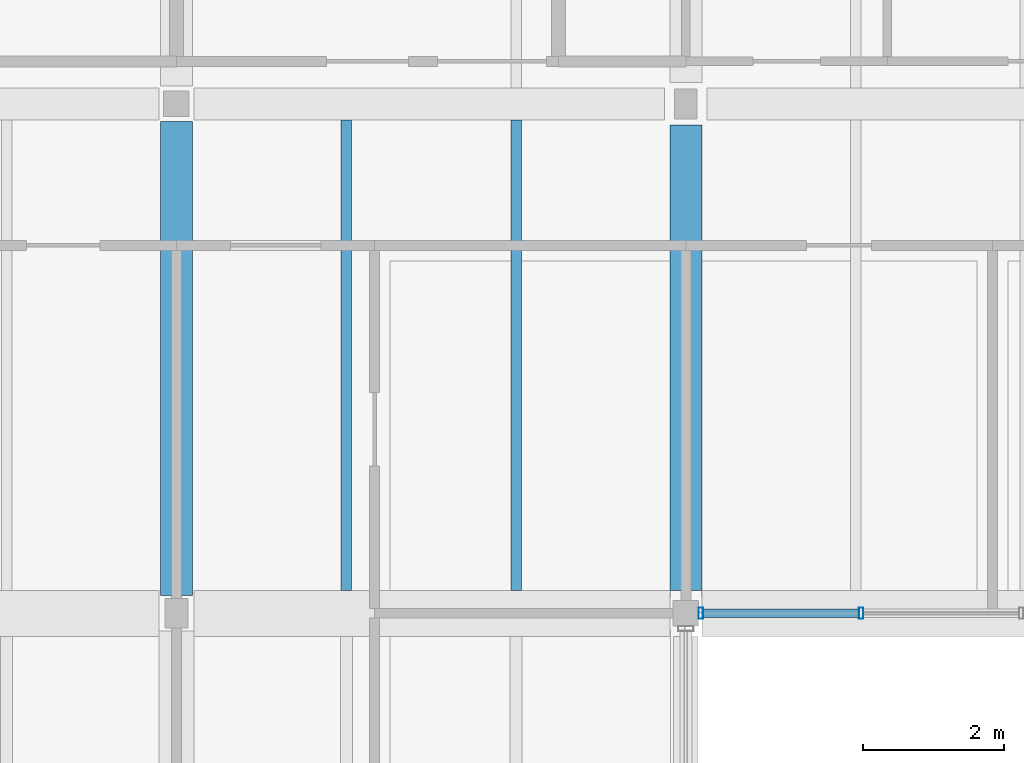
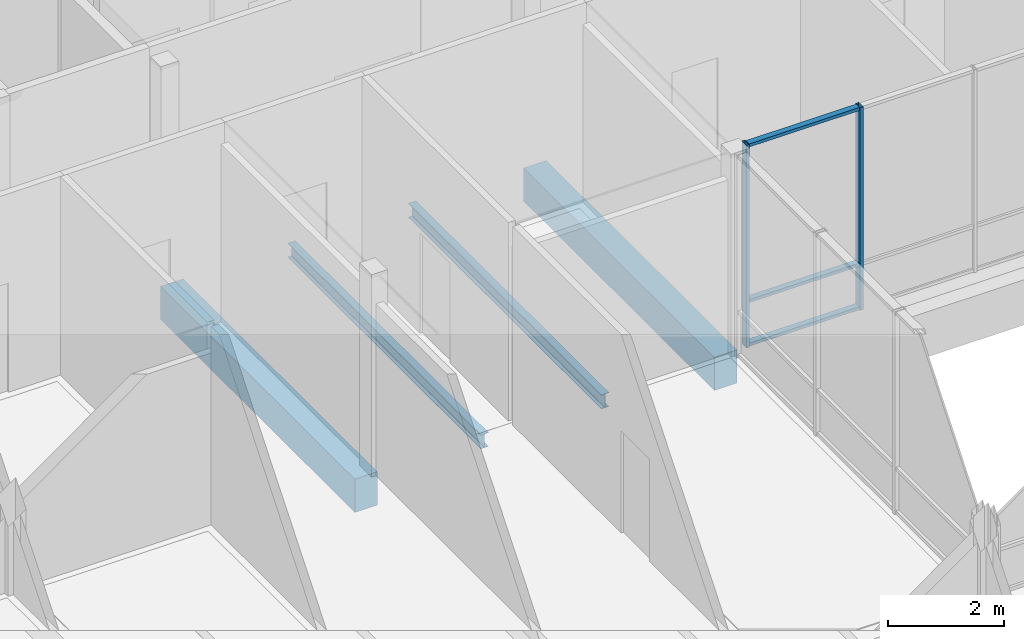
# One storey, part 41 of 146: 5 members, 4 beams, 1 element without a shape of its own.
"""IFC4 building model written with IfcOpenShell, lengths in metres."""

from ifc_helpers import new_model, si_unit, direction, frame, origin, origin_2d, place, context, subcontext, project, spatial, rectangle, hollow_rectangle, i_section, extrude, material, material_profile, profile_set, type_object, element, aggregate, save


model = new_model("IFC4")

# Units and contexts
model_context = context("Model", 3, precision=1e-05, world=origin(), true_north=direction((0.0, 1.0)))
body_context = subcontext(model_context, "Body", "Model", "MODEL_VIEW")
ifc_project = project(units=[si_unit("LENGTHUNIT", "METRE"), si_unit("AREAUNIT", "SQUARE_METRE"), si_unit("VOLUMEUNIT", "CUBIC_METRE"), si_unit("PLANEANGLEUNIT", "RADIAN"), si_unit("MASSUNIT", "GRAM", prefix="KILO")], contexts=[model_context])

# Site, building, storey
site_placement = place(None, origin())
site = spatial("IfcSite", under=ifc_project, at=site_placement, CompositionType="ELEMENT")
building_placement = place(site_placement, origin())
building = spatial("IfcBuilding", under=site, at=building_placement, Name="Hawrajan Terrace Health Centre", CompositionType="ELEMENT")
storey_placement = place(building_placement, frame((0.0, 0.0, 4.5)))
storey = spatial("IfcBuildingStorey", under=building, at=storey_placement, Name="L01", CompositionType="ELEMENT", Elevation=4.5)

# Curtain wall, members
ifc_material_1 = material(Name="Anodized bronze aluminium and low-E solar glazing", Category="aluminium")
curtain_wall_type = type_object("IfcCurtainWallType", Name="CW_Pavilion_SeriesE1", PredefinedType="USERDEFINED", material=ifc_material_1)
curtain_wall_placement = place(storey_placement, origin())
curtain_wall = element("IfcCurtainWall", 1, at=curtain_wall_placement, inside=storey, type_object=curtain_wall_type, Name="Curtain wall CW-L01-060", ObjectType="UNITISED CURTAIN WALL", PredefinedType="USERDEFINED")
ifc_material_2 = material(Name="Anodized bronze aluminium 6063-T6", Category="aluminium")
ifc_material_profile_1 = material_profile(ifc_material_2, hollow_rectangle(XDim=0.06494140625, YDim=0.159912109375, WallThickness=0.00390625, at=origin_2d()), Name="CW MUL 65x160")
ifc_profile_set_1 = profile_set([ifc_material_profile_1], Name="Anodized bronze aluminium 6063-T6")
member_type_1 = type_object("IfcMemberType", Name="CWMullion_65x160", PredefinedType="MULLION", material=ifc_profile_set_1)
member_1_placement = place(storey_placement, frame((26.41259765625, 45.39990234375, -0.0048828125), z_axis=(0.0, 0.0, 1.0), x_axis=(1.0, 0.0, 0.0)))
member_1 = element("IfcMember", 2, at=member_1_placement, type_object=member_type_1, Name="Mullion CW-L01-060-M1", PredefinedType="MULLION", context=body_context, shape_type="SweptSolid", body=[
    extrude(hollow_rectangle(XDim=0.06494140625, YDim=0.159912109375, WallThickness=0.00390625, at=origin_2d()), origin(), (0.0, 0.0, 1.0), 4.269775390625),
])
member_2_placement = place(storey_placement, frame((28.677490234375, 45.39990234375, -0.0048828125), z_axis=(0.0, 0.0, 1.0), x_axis=(1.0, 0.0, 0.0)))
member_2 = element("IfcMember", 3, at=member_2_placement, type_object=member_type_1, Name="Mullion CW-L01-060-M2", PredefinedType="MULLION", context=body_context, shape_type="SweptSolid", body=[
    extrude(hollow_rectangle(XDim=0.06494140625, YDim=0.159912109375, WallThickness=0.00390625, at=origin_2d()), origin(), (0.0, 0.0, 1.0), 4.269775390625),
])
ifc_material_profile_2 = material_profile(ifc_material_2, hollow_rectangle(XDim=0.06494140625, YDim=0.1201171875, WallThickness=0.00341796875, at=origin_2d()), Name="CW TRN 65x120")
ifc_profile_set_2 = profile_set([ifc_material_profile_2], Name="Anodized bronze aluminium 6063-T6")
member_type_2 = type_object("IfcMemberType", Name="CWTransom_65x120", PredefinedType="USERDEFINED", material=ifc_profile_set_2)
member_3_placement = place(storey_placement, frame((26.43896484375, 45.39990234375, 0.032470703125), z_axis=(1.0, 0.0, 0.0), x_axis=(0.0, 0.0, 1.0)))
member_3 = element("IfcMember", 4, at=member_3_placement, type_object=member_type_2, Name="Transom CW-L01-060-T1-1", ObjectType="TRANSOM", PredefinedType="USERDEFINED", context=body_context, shape_type="SweptSolid", body=[
    extrude(hollow_rectangle(XDim=0.06494140625, YDim=0.1201171875, WallThickness=0.00341796875, at=origin_2d()), origin(), (0.0, 0.0, 1.0), 2.2119140625),
])
member_4_placement = place(storey_placement, frame((26.43896484375, 45.39990234375, 0.949951171875), z_axis=(1.0, 0.0, 0.0), x_axis=(0.0, 0.0, 1.0)))
member_4 = element("IfcMember", 5, at=member_4_placement, type_object=member_type_2, Name="Transom CW-L01-060-T1-2", ObjectType="TRANSOM", PredefinedType="USERDEFINED", context=body_context, shape_type="SweptSolid", body=[
    extrude(hollow_rectangle(XDim=0.06494140625, YDim=0.1201171875, WallThickness=0.00341796875, at=origin_2d()), origin(), (0.0, 0.0, 1.0), 2.2119140625),
])
member_5_placement = place(storey_placement, frame((26.43896484375, 45.39990234375, 4.2275390625), z_axis=(1.0, 0.0, 0.0), x_axis=(0.0, 0.0, 1.0)))
member_5 = element("IfcMember", 6, at=member_5_placement, type_object=member_type_2, Name="Transom CW-L01-060-T1-3", ObjectType="TRANSOM", PredefinedType="USERDEFINED", context=body_context, shape_type="SweptSolid", body=[
    extrude(hollow_rectangle(XDim=0.06494140625, YDim=0.1201171875, WallThickness=0.00341796875, at=origin_2d()), origin(), (0.0, 0.0, 1.0), 2.2119140625),
])
aggregate(curtain_wall, [member_1, member_2, member_3, member_4, member_5])

# Beams
ifc_material_3 = material(Name="Concrete C40/50", Category="concrete")
ifc_material_profile_3 = material_profile(ifc_material_3, rectangle(XDim=0.449951171875, YDim=0.699951171875, at=origin_2d()), Name="RC BM 450x700")
ifc_profile_set_3 = profile_set([ifc_material_profile_3], Name="Concrete C40/50")
beam_type_1 = type_object("IfcBeamType", Name="RCGirder_450x700", PredefinedType="BEAM", material=ifc_profile_set_3)
beam_1_placement = place(storey_placement, frame((19.0, 45.64990234375, -0.64990234375), z_axis=(0.0, 1.0, 0.0), x_axis=(-1.0, 0.0, 0.0)))
element("IfcBeam", 7, at=beam_1_placement, inside=storey, type_object=beam_type_1, Name="Beam BM-Y-L01-W-X03-6", PredefinedType="BEAM", context=body_context, shape_type="SweptSolid", body=[
    extrude(rectangle(XDim=0.449951171875, YDim=0.699951171875, at=origin_2d()), origin(), (0.0, 0.0, 1.0), 6.7001953125),
])
beam_2_placement = place(storey_placement, frame((26.199951171875, 45.72509765625, -0.64990234375), z_axis=(0.0, 1.0, 0.0), x_axis=(-1.0, 0.0, 0.0)))
element("IfcBeam", 8, at=beam_2_placement, inside=storey, type_object=beam_type_1, Name="Beam BM-Y-L01-W-X04-6", PredefinedType="BEAM", context=body_context, shape_type="SweptSolid", body=[
    extrude(rectangle(XDim=0.449951171875, YDim=0.699951171875, at=origin_2d()), origin(), (0.0, 0.0, 1.0), 6.574951171875),
])
ifc_material_4 = material(Name="Steel S355", Category="steel")
ifc_material_profile_4 = material_profile(ifc_material_4, i_section(OverallWidth=0.14990234375, OverallDepth=0.300048828125, WebThickness=0.007080078125, FlangeThickness=0.0107421875, FilletRadius=0.014892578125, at=origin_2d()), Name="IPE 300")
ifc_profile_set_4 = profile_set([ifc_material_profile_4], Name="Steel S355")
beam_type_2 = type_object("IfcBeamType", Name="SteelBeam_IPE300", PredefinedType="JOIST", material=ifc_profile_set_4)
for number, where, z_axis, x_axis, name in (
    (9, (21.39990234375, 45.72509765625, -0.449951171875), (0.0, 1.0, 0.0), (-1.0, 0.0, 0.0), "Secondary joist JST-L01-W-03-6-1"),
    (10, (23.800048828125, 45.72509765625, -0.449951171875), (0.0, 1.0, 0.0), (-1.0, 0.0, 0.0), "Secondary joist JST-L01-W-03-6-2"),
):
    element("IfcBeam", number, at=place(storey_placement, frame(where, z_axis=z_axis, x_axis=x_axis)), inside=storey, type_object=beam_type_2, Name=name, PredefinedType="JOIST", context=body_context, shape_type="SweptSolid", body=[
        extrude(i_section(OverallWidth=0.14990234375, OverallDepth=0.300048828125, WebThickness=0.007080078125, FlangeThickness=0.0107421875, FilletRadius=0.014892578125, at=origin_2d()), origin(), (0.0, 0.0, 1.0), 6.64990234375),
    ])

save(model, "model.ifc")
